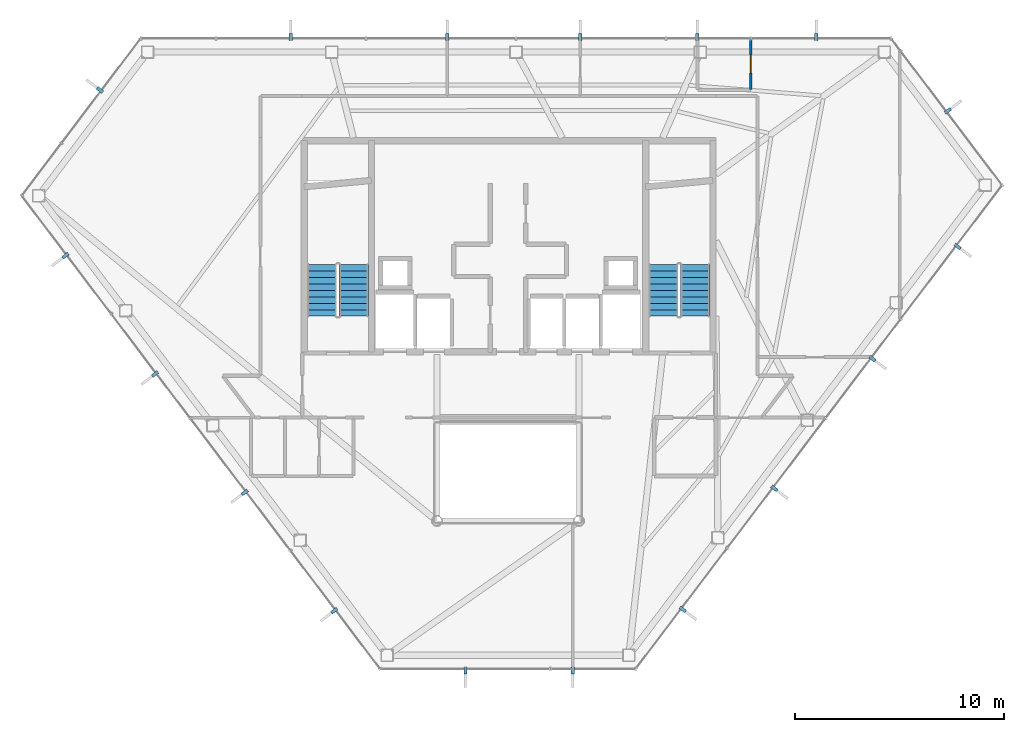
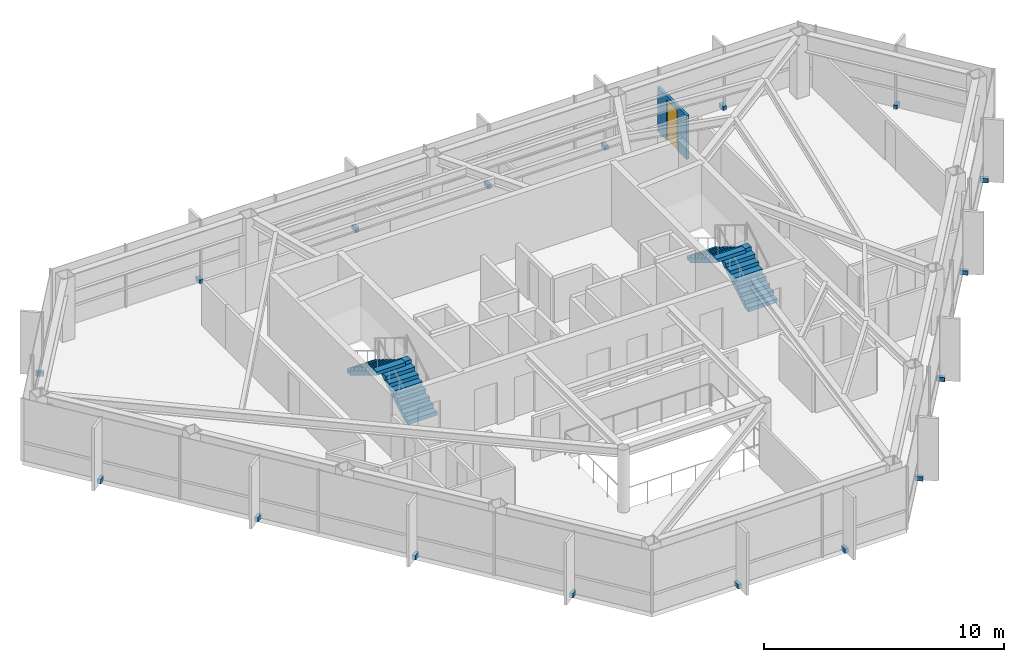
# One storey, part 27 of 28: 17 discrete accessories, 4 stair flights, 1 door, 1 wall, 1 opening, 2 elements without a shape of their own.
"""IFC4 building model written with IfcOpenShell, lengths in metres."""

from ifc_helpers import new_model, si_unit, direction, frame, frame_2d, origin, origin_2d, place, context, subcontext, project, spatial, polyline, rectangle, outline, extrude, material, layer, layer_set, type_object, element, fill, aggregate, save


model = new_model("IFC4")

# Units and contexts
model_context = context("Model", 3, precision=1e-05, world=origin(), true_north=direction((0.0, 1.0)))
body_context = subcontext(model_context, "Body", "Model", "MODEL_VIEW")
ifc_project = project(units=[si_unit("LENGTHUNIT", "METRE"), si_unit("AREAUNIT", "SQUARE_METRE"), si_unit("VOLUMEUNIT", "CUBIC_METRE"), si_unit("PLANEANGLEUNIT", "RADIAN"), si_unit("MASSUNIT", "GRAM", prefix="KILO")], contexts=[model_context])

# Site, building, storey
site_placement = place(None, origin())
site = spatial("IfcSite", under=ifc_project, at=site_placement, CompositionType="ELEMENT")
building_placement = place(site_placement, origin())
building = spatial("IfcBuilding", under=site, at=building_placement, Name="Zarrinselat Tower", CompositionType="ELEMENT")
storey_placement = place(building_placement, frame((0.0, 0.0, 222.360107421875)))
storey = spatial("IfcBuildingStorey", under=building, at=storey_placement, Name="L55", CompositionType="ELEMENT", Elevation=222.360107421875)

# Wall, opening, door
ifc_material_1 = material(Name="Fire-Rated Gypsum Board Partition", Category="gypsum")
ifc_layer = layer(ifc_material_1, 0.135009765625)
ifc_layer_set = layer_set([ifc_layer], Name="Fire-Rated Gypsum Board Partition")
wall_type = type_object("IfcWallType", Name="WAL-PART-WET", PredefinedType="PARTITIONING", material=ifc_layer_set)
wall_placement = place(storey_placement, frame((50.015380859375, 45.8544921875, 0.0), z_axis=(0.0, 0.0, 1.0), x_axis=(0.0, 1.0, 0.0)))
wall = element("IfcWall", 1, at=wall_placement, inside=storey, type_object=wall_type, Name="L55 Partition Wall 55", PredefinedType="PARTITIONING", context=body_context, shape_type="SweptSolid", body=[
    extrude(rectangle(XDim=2.4248046875, YDim=0.135009765625, at=frame_2d((1.21240234375, 0.0))), origin(), (0.0, 0.0, 1.0), 2.23486328125),
])
opening_placement = place(wall_placement, frame((0.782470703125, 0.0, 0.0)))
opening = element("IfcOpeningElement", 2, at=opening_placement, cuts=wall, Name="Opening ID-06", PredefinedType="OPENING", context=body_context, shape_type="SweptSolid", body=[
    extrude(rectangle(XDim=0.860107421875, YDim=2.050048828125, at=frame_2d((0.43017578125, 1.02490234375))), frame((0.0, 0.077392578125, 0.0), z_axis=(0.0, -1.0, 0.0), x_axis=(1.0, 0.0, 0.0)), (0.0, 0.0, 1.0), 0.155029296875),
])
ifc_material_2 = material(Name="Extruded Aluminium Alloy EN AW-6063 T6", Category="aluminium")
door_type = type_object("IfcDoorType", Name="DR-INT-WET-900", OperationType="NOTDEFINED", PredefinedType="DOOR", material=ifc_material_2)
door_placement = place(opening_placement, origin())
door = element("IfcDoor", 3, at=door_placement, inside=storey, type_object=door_type, Name="L55 Interior Door P55", OperationType="SINGLE_SWING_LEFT", OverallHeight=2.050048828125, OverallWidth=0.860107421875, PredefinedType="DOOR", context=body_context, shape_type="SweptSolid", body=[
    extrude(rectangle(XDim=0.860107421875, YDim=2.050048828125, at=frame_2d((0.43017578125, 1.02490234375))), frame((0.0, 0.02490234375, 0.0), z_axis=(0.0, -1.0, 0.0), x_axis=(1.0, 0.0, 0.0)), (0.0, 0.0, 1.0), 0.050048828125),
])
fill(opening, door)

# Stair, stair flights
ifc_material_3 = material(Name="Concrete C40/50", Category="concrete")
stair_type = type_object("IfcStairType", Name="STR-CORE-155", PredefinedType="HALF_TURN_STAIR", material=ifc_material_3)
stair_1_placement = place(storey_placement, origin())
stair_1 = element("IfcStair", 4, at=stair_1_placement, inside=storey, type_object=stair_type, Name="L55 Core Exit Stair 1", PredefinedType="HALF_TURN_STAIR")
ifc_material_4 = material(Name="Concrete C40/50", Category="concrete")
stair_flight_type = type_object("IfcStairFlightType", Name="STR-FLT-155", PredefinedType="STRAIGHT", material=ifc_material_4)
stair_flight_1_placement = place(storey_placement, frame((31.02001953125, 35.0, 0.0), z_axis=(0.0, 0.0, 1.0), x_axis=(0.0, 1.0, 0.0)))
stair_flight_1 = element("IfcStairFlight", 5, at=stair_flight_1_placement, type_object=stair_flight_type, Name="ST-1 flight 1", NumberOfRisers=9, NumberOfTreads=8, PredefinedType="STRAIGHT", RiserHeight=0.188888889, TreadLength=0.31, context=body_context, shape_type="SweptSolid", body=[
    extrude(outline(polyline([(0.0, 0.0), (0.0, 0.18896484375), (0.31005859375, 0.18896484375), (0.31005859375, 0.377685546875), (0.6201171875, 0.377685546875), (0.6201171875, 0.566650390625), (0.929931640625, 0.566650390625), (0.929931640625, 0.755615234375), (1.239990234375, 0.755615234375), (1.239990234375, 0.9443359375), (1.550048828125, 0.9443359375), (1.550048828125, 1.13330078125), (1.860107421875, 1.13330078125), (1.860107421875, 1.322265625), (2.169921875, 1.322265625), (2.169921875, 1.51123046875), (2.47998046875, 1.51123046875), (2.47998046875, 1.699951171875), (2.47998046875, 1.335693359375), (0.2880859375, 0.0), (0.0, 0.0)])), frame((0.0, 0.699951171875, 0.0), z_axis=(0.0, -1.0, 0.0), x_axis=(1.0, 0.0, 0.0)), (0.0, 0.0, 1.0), 1.39990234375),
])
stair_flight_2_placement = place(storey_placement, frame((29.5, 37.47998046875, 1.699951171875), z_axis=(0.0, 0.0, 1.0), x_axis=(0.0, -1.0, 0.0)))
stair_flight_2 = element("IfcStairFlight", 6, at=stair_flight_2_placement, type_object=stair_flight_type, Name="ST-1 flight 2", NumberOfRisers=9, NumberOfTreads=8, PredefinedType="STRAIGHT", RiserHeight=0.188888889, TreadLength=0.31, context=body_context, shape_type="SweptSolid", body=[
    extrude(outline(polyline([(0.0, 0.0), (0.0, 0.18896484375), (0.31005859375, 0.18896484375), (0.31005859375, 0.377685546875), (0.6201171875, 0.377685546875), (0.6201171875, 0.566650390625), (0.929931640625, 0.566650390625), (0.929931640625, 0.755615234375), (1.239990234375, 0.755615234375), (1.239990234375, 0.9443359375), (1.550048828125, 0.9443359375), (1.550048828125, 1.13330078125), (1.860107421875, 1.13330078125), (1.860107421875, 1.322265625), (2.169921875, 1.322265625), (2.169921875, 1.51123046875), (2.47998046875, 1.51123046875), (2.47998046875, 1.699951171875), (2.47998046875, 1.335693359375), (0.2880859375, 0.0), (0.0, 0.0)])), frame((0.0, 0.699951171875, 0.0), z_axis=(0.0, -1.0, 0.0), x_axis=(1.0, 0.0, 0.0)), (0.0, 0.0, 1.0), 1.39990234375),
])
aggregate(stair_1, [stair_flight_1, stair_flight_2])

stair_2_placement = place(storey_placement, origin())
stair_2 = element("IfcStair", 7, at=stair_2_placement, inside=storey, type_object=stair_type, Name="L55 Core Exit Stair 2", PredefinedType="HALF_TURN_STAIR")
stair_flight_3_placement = place(storey_placement, frame((47.360107421875, 35.0, 0.0), z_axis=(0.0, 0.0, 1.0), x_axis=(0.0, 1.0, 0.0)))
stair_flight_3 = element("IfcStairFlight", 8, at=stair_flight_3_placement, type_object=stair_flight_type, Name="ST-2 flight 1", NumberOfRisers=9, NumberOfTreads=8, PredefinedType="STRAIGHT", RiserHeight=0.188888889, TreadLength=0.31, context=body_context, shape_type="SweptSolid", body=[
    extrude(outline(polyline([(0.0, 0.0), (0.0, 0.18896484375), (0.31005859375, 0.18896484375), (0.31005859375, 0.377685546875), (0.6201171875, 0.377685546875), (0.6201171875, 0.566650390625), (0.929931640625, 0.566650390625), (0.929931640625, 0.755615234375), (1.239990234375, 0.755615234375), (1.239990234375, 0.9443359375), (1.550048828125, 0.9443359375), (1.550048828125, 1.13330078125), (1.860107421875, 1.13330078125), (1.860107421875, 1.322265625), (2.169921875, 1.322265625), (2.169921875, 1.51123046875), (2.47998046875, 1.51123046875), (2.47998046875, 1.699951171875), (2.47998046875, 1.335693359375), (0.2880859375, 0.0), (0.0, 0.0)])), frame((0.0, 0.699951171875, 0.0), z_axis=(0.0, -1.0, 0.0), x_axis=(1.0, 0.0, 0.0)), (0.0, 0.0, 1.0), 1.39990234375),
])
stair_flight_4_placement = place(storey_placement, frame((45.840087890625, 37.47998046875, 1.699951171875), z_axis=(0.0, 0.0, 1.0), x_axis=(0.0, -1.0, 0.0)))
stair_flight_4 = element("IfcStairFlight", 9, at=stair_flight_4_placement, type_object=stair_flight_type, Name="ST-2 flight 2", NumberOfRisers=9, NumberOfTreads=8, PredefinedType="STRAIGHT", RiserHeight=0.188888889, TreadLength=0.31, context=body_context, shape_type="SweptSolid", body=[
    extrude(outline(polyline([(0.0, 0.0), (0.0, 0.18896484375), (0.31005859375, 0.18896484375), (0.31005859375, 0.377685546875), (0.6201171875, 0.377685546875), (0.6201171875, 0.566650390625), (0.929931640625, 0.566650390625), (0.929931640625, 0.755615234375), (1.239990234375, 0.755615234375), (1.239990234375, 0.9443359375), (1.550048828125, 0.9443359375), (1.550048828125, 1.13330078125), (1.860107421875, 1.13330078125), (1.860107421875, 1.322265625), (2.169921875, 1.322265625), (2.169921875, 1.51123046875), (2.47998046875, 1.51123046875), (2.47998046875, 1.699951171875), (2.47998046875, 1.335693359375), (0.2880859375, 0.0), (0.0, 0.0)])), frame((0.0, 0.699951171875, 0.0), z_axis=(0.0, -1.0, 0.0), x_axis=(1.0, 0.0, 0.0)), (0.0, 0.0, 1.0), 1.39990234375),
])
aggregate(stair_2, [stair_flight_3, stair_flight_4])

# Discrete accessories
ifc_material_5 = material(Name="Steel S355J2", Category="steel")
discrete_accessory_type = type_object("IfcDiscreteAccessoryType", Name="ACC-FIN-BRACKET", PredefinedType="BRACKET", material=ifc_material_5)
for number, where, z_axis, x_axis, name in (
    (10, (53.14794921875, 48.364501953125, -0.05029296875), (0.0, 0.0, 1.0), (0.0, 1.0, 0.0), "L55 Fin Fixing Bracket CW-L55-E01-01"),
    (11, (47.46533203125, 48.364501953125, -0.05029296875), (0.0, 0.0, 1.0), (0.0, 1.0, 0.0), "L55 Fin Fixing Bracket CW-L55-E01-03"),
    (12, (41.855224609375, 48.364501953125, -0.05029296875), (0.0, 0.0, 1.0), (0.0, 1.0, 0.0), "L55 Fin Fixing Bracket CW-L55-E01-05"),
    (13, (35.5, 48.364501953125, -0.05029296875), (0.0, 0.0, 1.0), (0.0, 1.0, 0.0), "L55 Fin Fixing Bracket CW-L55-E01-07"),
    (14, (28.00830078125, 48.364501953125, -0.05029296875), (0.0, 0.0, 1.0), (0.0, 1.0, 0.0), "L55 Fin Fixing Bracket CW-L55-E01-09"),
    (15, (18.8701171875, 45.8291015625, -0.05029296875), (0.0, 0.0, 1.0), (-0.79708642965, 0.603865236347, 0.0), "L55 Fin Fixing Bracket CW-L55-E02-01"),
    (16, (17.21630859375, 37.897705078125, -0.05029296875), (0.0, 0.0, 1.0), (-0.797090557307, -0.603859787908, 0.0), "L55 Fin Fixing Bracket CW-L55-E03-01"),
    (17, (21.507080078125, 32.23388671875, -0.05029296875), (0.0, 0.0, 1.0), (-0.797090557307, -0.603859787908, 0.0), "L55 Fin Fixing Bracket CW-L55-E03-03"),
    (18, (25.7978515625, 26.570068359375, -0.05029296875), (0.0, 0.0, 1.0), (-0.797090557307, -0.603859787908, 0.0), "L55 Fin Fixing Bracket CW-L55-E03-05"),
    (19, (30.088623046875, 20.90625, -0.05029296875), (0.0, 0.0, 1.0), (-0.797090557307, -0.603859787908, 0.0), "L55 Fin Fixing Bracket CW-L55-E03-07"),
    (20, (36.36328125, 18.046630859375, -0.05029296875), (0.0, 0.0, 1.0), (0.0, -1.0, 0.0), "L55 Fin Fixing Bracket CW-L55-E04-01"),
    (21, (41.5, 18.046630859375, -0.05029296875), (0.0, 0.0, 1.0), (0.0, -1.0, 0.0), "L55 Fin Fixing Bracket CW-L55-E04-03"),
    (22, (46.75927734375, 20.969482421875, -0.05029296875), (0.0, 0.0, 1.0), (0.797090993572, -0.603859212041, 0.0), "L55 Fin Fixing Bracket CW-L55-E05-01"),
    (23, (51.1455078125, 26.759521484375, -0.05029296875), (0.0, 0.0, 1.0), (0.797090993572, -0.603859212041, 0.0), "L55 Fin Fixing Bracket CW-L55-E05-03"),
    (24, (55.8466796875, 32.965087890625, -0.05029296875), (0.0, 0.0, 1.0), (0.797090993572, -0.603859212041, 0.0), "L55 Fin Fixing Bracket CW-L55-E05-05"),
    (25, (59.91845703125, 38.339599609375, -0.05029296875), (0.0, 0.0, 1.0), (0.797090993572, -0.603859212041, 0.0), "L55 Fin Fixing Bracket CW-L55-E05-07"),
    (26, (59.453369140625, 44.827880859375, -0.05029296875), (0.0, 0.0, 1.0), (0.797090160089, 0.603860312232, 0.0), "L55 Fin Fixing Bracket CW-L55-E06-01"),
):
    element("IfcDiscreteAccessory", number, at=place(storey_placement, frame(where, z_axis=z_axis, x_axis=x_axis)), inside=storey, type_object=discrete_accessory_type, Name=name, PredefinedType="BRACKET", context=body_context, shape_type="SweptSolid", body=[
        extrude(rectangle(XDim=0.340087890625, YDim=0.159912109375, at=origin_2d()), origin(), (0.0, 0.0, 1.0), 0.219970703125),
    ])

save(model, "model.ifc")
